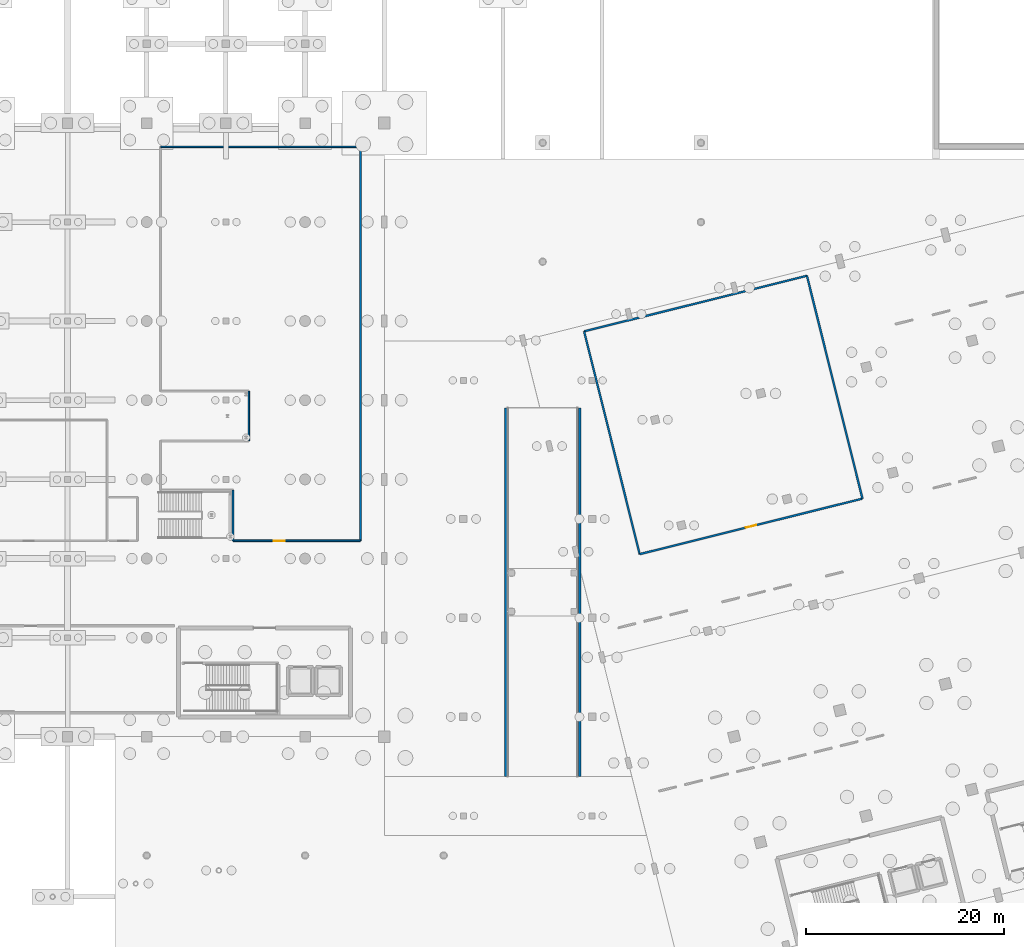
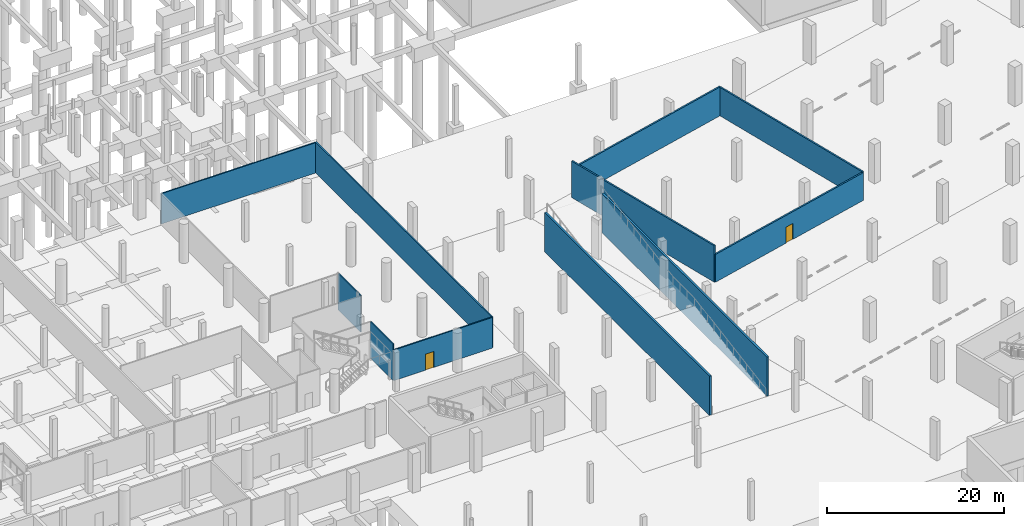
# One storey, part 54 of 65: 11 walls, 2 doors, 2 openings.
"""IFC4 building model written with IfcOpenShell, lengths in metres."""

from ifc_helpers import new_model, si_unit, direction, frame, frame_2d, origin, place, context, subcontext, project, spatial, rectangle, extrude, material, layer, layer_set, type_object, element, fill, save


model = new_model("IFC4")

# Units and contexts
model_context = context("Model", 3, precision=1e-05, world=origin(), true_north=direction((0.0, 1.0)))
body_context = subcontext(model_context, "Body", "Model", "MODEL_VIEW")
ifc_project = project(units=[si_unit("LENGTHUNIT", "METRE"), si_unit("AREAUNIT", "SQUARE_METRE"), si_unit("VOLUMEUNIT", "CUBIC_METRE"), si_unit("PLANEANGLEUNIT", "RADIAN"), si_unit("MASSUNIT", "GRAM", prefix="KILO")], contexts=[model_context])

# Site, building, storey
site_placement = place(None, origin())
site = spatial("IfcSite", under=ifc_project, at=site_placement, CompositionType="ELEMENT")
building_placement = place(site_placement, origin())
building = spatial("IfcBuilding", under=site, at=building_placement, Name="Khorjan Park Terminus", CompositionType="ELEMENT")
storey_placement = place(building_placement, frame((0.0, 0.0, -5.4)))
storey = spatial("IfcBuildingStorey", under=building, at=storey_placement, Name="B1", CompositionType="ELEMENT", Elevation=-5.4)

# Walls
ifc_material_1 = material(Name="Insulated Metal-Stud Acoustic Partition")
ifc_layer_1 = layer(ifc_material_1, 0.16)
ifc_layer_set_1 = layer_set([ifc_layer_1], Name="Insulated Metal-Stud Acoustic Partition")
wall_type_1 = type_object("IfcWallType", Name="PT-16", PredefinedType="PARTITIONING", material=ifc_layer_set_1)
wall_1_placement = place(storey_placement, frame((120.72, 45.8, 0.0), z_axis=(0.0, 0.0, 1.0), x_axis=(0.0, 1.0, 0.0)))
element("IfcWall", 1, at=wall_1_placement, inside=storey, type_object=wall_type_1, Name="Interior acoustic partition PT-16 (B1-STRG)", PredefinedType="PARTITIONING", context=body_context, shape_type="SweptSolid", body=[
    extrude(rectangle(XDim=5.12, YDim=0.16, at=frame_2d((2.56, 0.0))), origin(), (0.0, 0.0, 1.0), 5.02),
])
wall_2_placement = place(storey_placement, frame((122.32, 55.88, 0.0), z_axis=(0.0, 0.0, 1.0), x_axis=(0.0, 1.0, 0.0)))
element("IfcWall", 2, at=wall_2_placement, inside=storey, type_object=wall_type_1, Name="Interior acoustic partition PT-16 (B1-STRG)", PredefinedType="PARTITIONING", context=body_context, shape_type="SweptSolid", body=[
    extrude(rectangle(XDim=5.04, YDim=0.16, at=frame_2d((2.52, 0.0))), origin(), (0.0, 0.0, 1.0), 5.02),
])
wall_3_placement = place(storey_placement, frame((113.4, 85.6, 0.0), z_axis=(0.0, 0.0, 1.0), x_axis=(1.0, 0.0, 0.0)))
element("IfcWall", 3, at=wall_3_placement, inside=storey, type_object=wall_type_1, Name="Interior acoustic partition PT-16 (B1-STRG)", PredefinedType="PARTITIONING", context=body_context, shape_type="SweptSolid", body=[
    extrude(rectangle(XDim=20.2, YDim=0.16, at=frame_2d((10.1, 0.0))), origin(), (0.0, 0.0, 1.0), 4.175),
])
wall_4_placement = place(storey_placement, frame((133.6, 85.6, 0.0), z_axis=(0.0, 0.0, 1.0), x_axis=(0.0, -1.0, 0.0)))
element("IfcWall", 4, at=wall_4_placement, inside=storey, type_object=wall_type_1, Name="Interior acoustic partition PT-16 (B1-STRG)", PredefinedType="PARTITIONING", context=body_context, shape_type="SweptSolid", body=[
    extrude(rectangle(XDim=39.8, YDim=0.16, at=frame_2d((19.9, 0.0))), origin(), (0.0, 0.0, 1.0), 4.225),
])

# Wall, opening, door
wall_5_placement = place(storey_placement, frame((133.6, 45.8, 0.0), z_axis=(0.0, 0.0, 1.0), x_axis=(-1.0, 0.0, 0.0)))
wall_5 = element("IfcWall", 5, at=wall_5_placement, inside=storey, type_object=wall_type_1, Name="Interior acoustic partition PT-16 (B1-STRG)", PredefinedType="PARTITIONING", context=body_context, shape_type="SweptSolid", body=[
    extrude(rectangle(XDim=12.88, YDim=0.16, at=frame_2d((6.44, 0.0))), origin(), (0.0, 0.0, 1.0), 4.225),
])
opening_1_placement = place(wall_5_placement, frame((7.657, 0.0, 0.0)))
opening_1 = element("IfcOpeningElement", 6, at=opening_1_placement, cuts=wall_5, Name="Opening ID-11", PredefinedType="OPENING", context=body_context, shape_type="SweptSolid", body=[
    extrude(rectangle(XDim=1.1, YDim=2.2, at=frame_2d((0.55, 1.1))), frame((0.0, 0.09, 0.0), z_axis=(0.0, -1.0, 0.0), x_axis=(1.0, 0.0, 0.0)), (0.0, 0.0, 1.0), 0.18),
])
ifc_material_2 = material(Name="Acoustic Hardwood Single Door", Category="wood")
door_type_1 = type_object("IfcDoorType", Name="ID-11", OperationType="NOTDEFINED", PredefinedType="DOOR", material=ifc_material_2)
door_1_placement = place(opening_1_placement, origin())
door_1 = element("IfcDoor", 7, at=door_1_placement, inside=storey, type_object=door_type_1, Name="Interior door ID-11 (B1-STRG)", OperationType="SINGLE_SWING_LEFT", OverallHeight=2.2, OverallWidth=1.1, PredefinedType="DOOR", context=body_context, shape_type="SweptSolid", body=[
    extrude(rectangle(XDim=1.1, YDim=2.2, at=frame_2d((0.55, 1.1))), frame((0.0, 0.025, 0.0), z_axis=(0.0, -1.0, 0.0), x_axis=(1.0, 0.0, 0.0)), (0.0, 0.0, 1.0), 0.05),
])
fill(opening_1, door_1)

# Wall
ifc_material_3 = material(Name="Fire-Rated Acoustic Masonry & Drywall", Category="masonry")
ifc_layer_2 = layer(ifc_material_3, 0.2)
ifc_layer_set_2 = layer_set([ifc_layer_2], Name="Fire-Rated Acoustic Masonry & Drywall")
wall_type_2 = type_object("IfcWallType", Name="PT-20", PredefinedType="PARTITIONING", material=ifc_layer_set_2)
wall_6_placement = place(storey_placement, frame((178.705, 72.5698, 0.0), z_axis=(0.0, 0.0, 1.0), x_axis=(0.241922999139, -0.970295451132, 0.0)))
element("IfcWall", 8, at=wall_6_placement, inside=storey, type_object=wall_type_2, Name="Interior acoustic partition PT-20 (B1-CHL)", PredefinedType="PARTITIONING", context=body_context, shape_type="SweptSolid", body=[
    extrude(rectangle(XDim=23.1999, YDim=0.2, at=frame_2d((11.5999, 0.0))), origin(), (0.0, 0.0, 1.0), 3.925),
])

# Wall, opening, door
wall_7_placement = place(storey_placement, frame((184.3176, 50.059, 0.0), z_axis=(0.0, 0.0, 1.0), x_axis=(-0.970295703401, -0.241921987344, 0.0)))
wall_7 = element("IfcWall", 9, at=wall_7_placement, inside=storey, type_object=wall_type_2, Name="Interior acoustic partition PT-20 (B1-CHL)", PredefinedType="PARTITIONING", context=body_context, shape_type="SweptSolid", body=[
    extrude(rectangle(XDim=23.2, YDim=0.2, at=frame_2d((11.6, 0.0))), origin(), (0.0, 0.0, 1.0), 3.825),
])
opening_2_placement = place(wall_7_placement, frame((11.05, 0.0, 0.0)))
opening_2 = element("IfcOpeningElement", 10, at=opening_2_placement, cuts=wall_7, Name="Opening FD-11", PredefinedType="OPENING", context=body_context, shape_type="SweptSolid", body=[
    extrude(rectangle(XDim=1.1, YDim=2.2, at=frame_2d((0.55, 1.1))), frame((0.0, 0.11, 0.0), z_axis=(0.0, -1.0, 0.0), x_axis=(1.0, 0.0, 0.0)), (0.0, 0.0, 1.0), 0.22),
])
ifc_material_4 = material(Name="Fire-Rated Steel Single Door", Category="steel")
door_type_2 = type_object("IfcDoorType", Name="FD-11", OperationType="NOTDEFINED", PredefinedType="DOOR", material=ifc_material_4)
door_2_placement = place(opening_2_placement, origin())
door_2 = element("IfcDoor", 11, at=door_2_placement, inside=storey, type_object=door_type_2, Name="Interior door FD-11 (B1-CHL)", OperationType="SINGLE_SWING_RIGHT", OverallHeight=2.2, OverallWidth=1.1, PredefinedType="DOOR", context=body_context, shape_type="SweptSolid", body=[
    extrude(rectangle(XDim=1.1, YDim=2.2, at=frame_2d((0.55, 1.1))), frame((0.0, 0.025, 0.0), z_axis=(0.0, -1.0, 0.0), x_axis=(1.0, 0.0, 0.0)), (0.0, 0.0, 1.0), 0.05),
])
fill(opening_2, door_2)

# Walls
wall_8_placement = place(storey_placement, frame((161.8067, 44.4464, 0.0), z_axis=(0.0, 0.0, 1.0), x_axis=(-0.241921987344, 0.970295703401, 0.0)))
element("IfcWall", 12, at=wall_8_placement, inside=storey, type_object=wall_type_2, Name="Interior acoustic partition PT-20 (B1-CHL)", PredefinedType="PARTITIONING", context=body_context, shape_type="SweptSolid", body=[
    extrude(rectangle(XDim=23.2, YDim=0.2, at=frame_2d((11.6, 0.0))), origin(), (0.0, 0.0, 1.0), 5.02),
])
wall_9_placement = place(storey_placement, frame((156.1941, 66.9573, 0.0), z_axis=(0.0, 0.0, 1.0), x_axis=(0.970296715185, 0.241917929269, 0.0)))
element("IfcWall", 13, at=wall_9_placement, inside=storey, type_object=wall_type_2, Name="Interior acoustic partition PT-20 (B1-CHL)", PredefinedType="PARTITIONING", context=body_context, shape_type="SweptSolid", body=[
    extrude(rectangle(XDim=23.2, YDim=0.2, at=frame_2d((11.6, 0.0))), origin(), (0.0, 0.0, 1.0), 3.975),
])
ifc_material_5 = material(Name="Concrete C40/50", Category="concrete")
ifc_layer_3 = layer(ifc_material_5, 0.25)
ifc_layer_set_3 = layer_set([ifc_layer_3], Name="Concrete C40/50")
wall_type_3 = type_object("IfcWallType", Name="SW-25", PredefinedType="SOLIDWALL", material=ifc_layer_set_3)
for number, where, z_axis, x_axis, name in (
    (14, (148.26, 22.0, 0.0), (0.0, 0.0, 1.0), (0.0, 1.0, 0.0), "Vehicle ramp retaining cheek wall (W)"),
    (15, (155.74, 22.0, 0.0), (0.0, 0.0, 1.0), (0.0, 1.0, 0.0), "Vehicle ramp retaining cheek wall (E)"),
):
    element("IfcWall", number, at=place(storey_placement, frame(where, z_axis=z_axis, x_axis=x_axis)), inside=storey, type_object=wall_type_3, Name=name, PredefinedType="SOLIDWALL", context=body_context, shape_type="SweptSolid", body=[
        extrude(rectangle(XDim=37.2, YDim=0.25, at=frame_2d((18.6, 0.0))), origin(), (0.0, 0.0, 1.0), 5.4),
    ])

save(model, "model.ifc")
